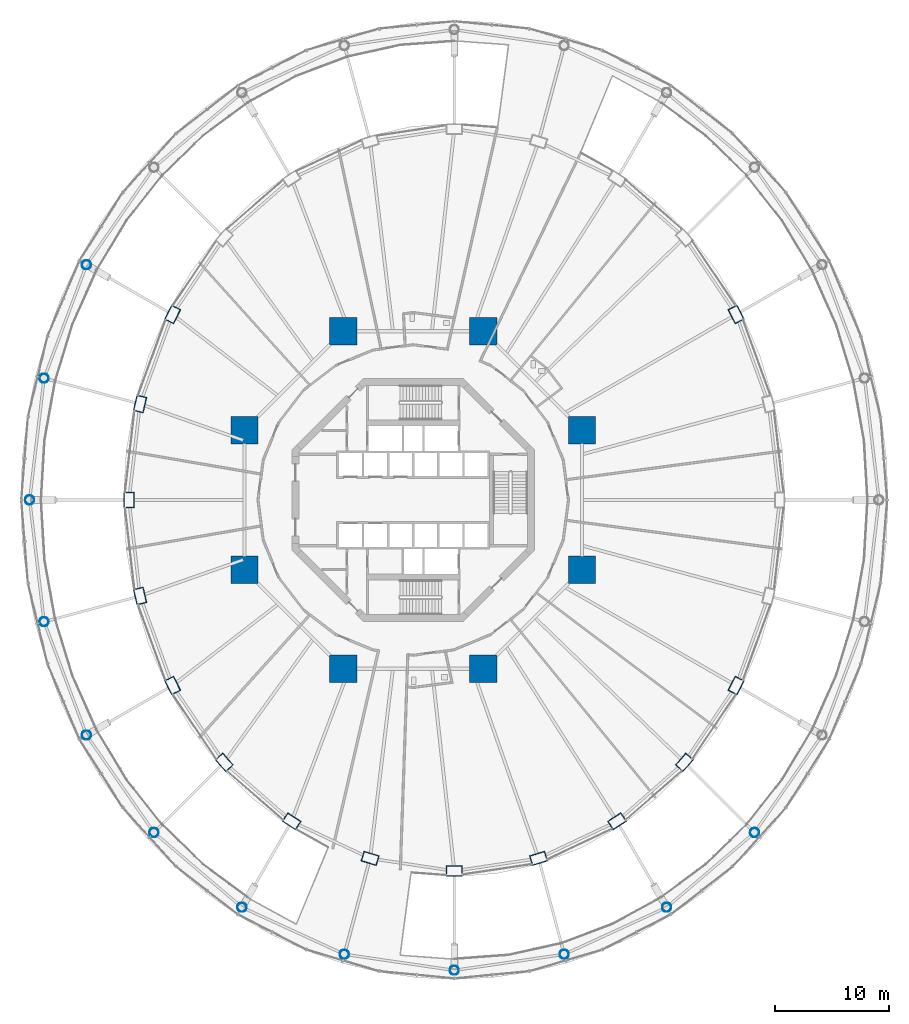
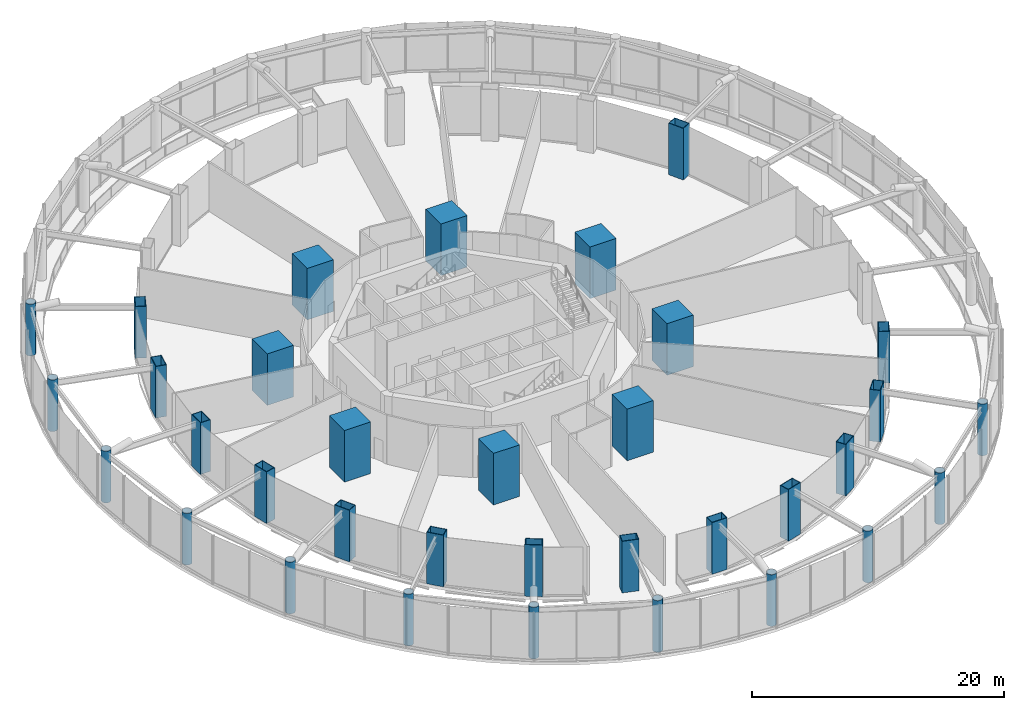
# One storey, part 1 of 52: 34 columns.
"""IFC4 building model written with IfcOpenShell, lengths in metres."""

from ifc_helpers import new_model, si_unit, direction, frame, origin, origin_2d, place, context, subcontext, project, spatial, rectangle, hollow_rectangle, hollow_circle, extrude, material, material_profile, profile_set, type_object, element, save


model = new_model("IFC4")

# Units and contexts
model_context = context("Model", 3, precision=1e-05, world=origin(), true_north=direction((0.0, 1.0)))
body_context = subcontext(model_context, "Body", "Model", "MODEL_VIEW")
ifc_project = project(units=[si_unit("LENGTHUNIT", "METRE"), si_unit("AREAUNIT", "SQUARE_METRE"), si_unit("VOLUMEUNIT", "CUBIC_METRE"), si_unit("PLANEANGLEUNIT", "RADIAN"), si_unit("MASSUNIT", "GRAM", prefix="KILO")], contexts=[model_context])

# Site, building, storey
site_placement = place(None, origin())
site = spatial("IfcSite", under=ifc_project, at=site_placement, CompositionType="ELEMENT")
building_placement = place(site_placement, origin())
building = spatial("IfcBuilding", under=site, at=building_placement, Name="Nagisa Residences", CompositionType="ELEMENT")
storey_placement = place(building_placement, frame((0.0, 0.0, 22.0)))
storey = spatial("IfcBuildingStorey", under=building, at=storey_placement, Name="L04", CompositionType="ELEMENT", Elevation=22.0)

# Columns
ifc_material_1 = material(Name="Steel ASTM A572 Gr 65", Category="steel")
ifc_material_profile_1 = material_profile(ifc_material_1, hollow_circle(Radius=0.406494140625, WallThickness=0.02490234375, at=origin_2d()), Name="CHS 813x25")
ifc_profile_set_1 = profile_set([ifc_material_profile_1], Name="Steel ASTM A572 Gr 65")
column_type_1 = type_object("IfcColumnType", Name="Atrium column CHS 813x25", PredefinedType="COLUMN", material=ifc_profile_set_1)
for number, where, z_axis, x_axis, name in (
    (1, (-28.6162109375, 20.60009765625, 0.0), (0.0, 0.0, 1.0), (1.0, 0.0, 0.0), "col:L04:a10"),
    (2, (-32.33251953125, 10.663330078125, 0.0), (0.0, 0.0, 1.0), (1.0, 0.0, 0.0), "col:L04:a11"),
    (3, (-33.60009765625, 0.0, 0.0), (0.0, 0.0, 1.0), (1.0, 0.0, 0.0), "col:L04:a12"),
    (4, (-32.33251953125, -10.663330078125, 0.0), (0.0, 0.0, 1.0), (1.0, 0.0, 0.0), "col:L04:a13"),
    (5, (-28.6162109375, -20.60009765625, 0.0), (0.0, 0.0, 1.0), (1.0, 0.0, 0.0), "col:L04:a14"),
    (6, (-22.704345703125, -29.1328125, 0.0), (0.0, 0.0, 1.0), (1.0, 0.0, 0.0), "col:L04:a15"),
    (7, (-15.0, -35.68017578125, 0.0), (0.0, 0.0, 1.0), (1.0, 0.0, 0.0), "col:L04:a16"),
    (8, (-6.028076171875, -39.796142578125, 0.0), (0.0, 0.0, 1.0), (1.0, 0.0, 0.0), "col:L04:a17"),
    (9, (3.60009765625, -41.199951171875, 0.0), (0.0, 0.0, 1.0), (1.0, 0.0, 0.0), "col:L04:a18"),
    (10, (13.22802734375, -39.796142578125, 0.0), (0.0, 0.0, 1.0), (1.0, 0.0, 0.0), "col:L04:a19"),
    (11, (22.199951171875, -35.68017578125, 0.0), (0.0, 0.0, 1.0), (1.0, 0.0, 0.0), "col:L04:a20"),
    (12, (29.904296875, -29.1328125, 0.0), (0.0, 0.0, 1.0), (1.0, 0.0, 0.0), "col:L04:a21"),
):
    element("IfcColumn", number, at=place(storey_placement, frame(where, z_axis=z_axis, x_axis=x_axis)), inside=storey, type_object=column_type_1, Name=name, PredefinedType="COLUMN", context=body_context, shape_type="SweptSolid", body=[
        extrude(hollow_circle(Radius=0.406494140625, WallThickness=0.02490234375, at=origin_2d()), origin(), (0.0, 0.0, 1.0), 5.0),
    ])
ifc_material_2 = material(Name="Concrete C80", Category="concrete")
ifc_material_profile_2 = material_profile(ifc_material_2, rectangle(XDim=2.39990234375, YDim=2.39990234375, at=origin_2d()), Name="C80 2400x2400")
ifc_profile_set_2 = profile_set([ifc_material_profile_2], Name="Concrete C80")
column_type_2 = type_object("IfcColumnType", Name="Inner megacolumn C80 2400x2400", PredefinedType="COLUMN", material=ifc_profile_set_2)
for number, where, z_axis, x_axis, name in (
    (13, (14.781982421875, 6.123046875, 0.0), (0.0, 0.0, 1.0), (1.0, 0.0, 0.0), "col:L04:i1"),
    (14, (6.123046875, 14.781982421875, 0.0), (0.0, 0.0, 1.0), (1.0, 0.0, 0.0), "col:L04:i2"),
    (15, (-6.123046875, 14.781982421875, 0.0), (0.0, 0.0, 1.0), (1.0, 0.0, 0.0), "col:L04:i3"),
    (16, (-14.781982421875, 6.123046875, 0.0), (0.0, 0.0, 1.0), (1.0, 0.0, 0.0), "col:L04:i4"),
    (17, (-14.781982421875, -6.123046875, 0.0), (0.0, 0.0, 1.0), (1.0, 0.0, 0.0), "col:L04:i5"),
    (18, (-6.123046875, -14.781982421875, 0.0), (0.0, 0.0, 1.0), (1.0, 0.0, 0.0), "col:L04:i6"),
    (19, (6.123046875, -14.781982421875, 0.0), (0.0, 0.0, 1.0), (1.0, 0.0, 0.0), "col:L04:i7"),
    (20, (14.781982421875, -6.123046875, 0.0), (0.0, 0.0, 1.0), (1.0, 0.0, 0.0), "col:L04:i8"),
):
    element("IfcColumn", number, at=place(storey_placement, frame(where, z_axis=z_axis, x_axis=x_axis)), inside=storey, type_object=column_type_2, Name=name, PredefinedType="COLUMN", context=body_context, shape_type="SweptSolid", body=[
        extrude(rectangle(XDim=2.39990234375, YDim=2.39990234375, at=origin_2d()), origin(), (0.0, 0.0, 1.0), 5.0),
    ])
ifc_material_3 = material(Name="Steel ASTM A572 Gr 50", Category="steel")
ifc_material_profile_3 = material_profile(ifc_material_3, hollow_rectangle(XDim=1.39990234375, YDim=0.89990234375, WallThickness=0.050048828125, at=origin_2d()), Name="BX 1400x900x50")
ifc_profile_set_3 = profile_set([ifc_material_profile_3], Name="Steel ASTM A572 Gr 50")
column_type_3 = type_object("IfcColumnType", Name="Perimeter column BX 1400x900x50", PredefinedType="COLUMN", material=ifc_profile_set_3)
for number, where, z_axis, x_axis, name in (
    (21, (28.28173828125, 16.25, 0.0), (0.0, 0.0, 1.0), (-0.452462697578, 0.891783329795, 0.0), "col:L04:p02"),
    (22, (-21.081787109375, 16.25, 0.0), (0.0, 0.0, 1.0), (-0.452462697578, -0.891783329795, 0.0), "col:L04:p10"),
    (23, (-23.928955078125, 8.41162109375, 0.0), (0.0, 0.0, 1.0), (-0.229202013103, -0.973378876486, 0.0), "col:L04:p11"),
    (24, (-24.89990234375, 0.0, 0.0), (0.0, 0.0, 1.0), (0.0, -1.0, 0.0), "col:L04:p12"),
    (25, (-23.928955078125, -8.41162109375, 0.0), (0.0, 0.0, 1.0), (0.229202013103, -0.973378876486, 0.0), "col:L04:p13"),
    (26, (-21.081787109375, -16.25, 0.0), (0.0, 0.0, 1.0), (0.452462697578, -0.891783329795, 0.0), "col:L04:p14"),
    (27, (-16.552490234375, -22.98095703125, 0.0), (0.0, 0.0, 1.0), (0.660114607735, -0.751164898445, 0.0), "col:L04:p15"),
    (28, (-10.64990234375, -28.145751953125, 0.0), (0.0, 0.0, 1.0), (0.835766105673, -0.54908561865, 0.0), "col:L04:p16"),
    (29, (-3.7763671875, -31.392578125, 0.0), (0.0, 0.0, 1.0), (0.956524583408, -0.291651712384, 0.0), "col:L04:p17"),
    (30, (3.60009765625, -32.5, 0.0), (0.0, 0.0, 1.0), (1.0, 0.0, 0.0), "col:L04:p18"),
    (31, (10.976318359375, -31.392578125, 0.0), (0.0, 0.0, 1.0), (0.956524583408, 0.291651712384, 0.0), "col:L04:p19"),
    (32, (17.85009765625, -28.145751953125, 0.0), (0.0, 0.0, 1.0), (0.835766105673, 0.54908561865, 0.0), "col:L04:p20"),
    (33, (23.75244140625, -22.98095703125, 0.0), (0.0, 0.0, 1.0), (0.660114607735, 0.751164898445, 0.0), "col:L04:p21"),
    (34, (28.28173828125, -16.25, 0.0), (0.0, 0.0, 1.0), (0.452462697578, 0.891783329795, 0.0), "col:L04:p22"),
):
    element("IfcColumn", number, at=place(storey_placement, frame(where, z_axis=z_axis, x_axis=x_axis)), inside=storey, type_object=column_type_3, Name=name, PredefinedType="COLUMN", context=body_context, shape_type="SweptSolid", body=[
        extrude(hollow_rectangle(XDim=1.39990234375, YDim=0.89990234375, WallThickness=0.050048828125, at=origin_2d()), origin(), (0.0, 0.0, 1.0), 5.0),
    ])

save(model, "model.ifc")
